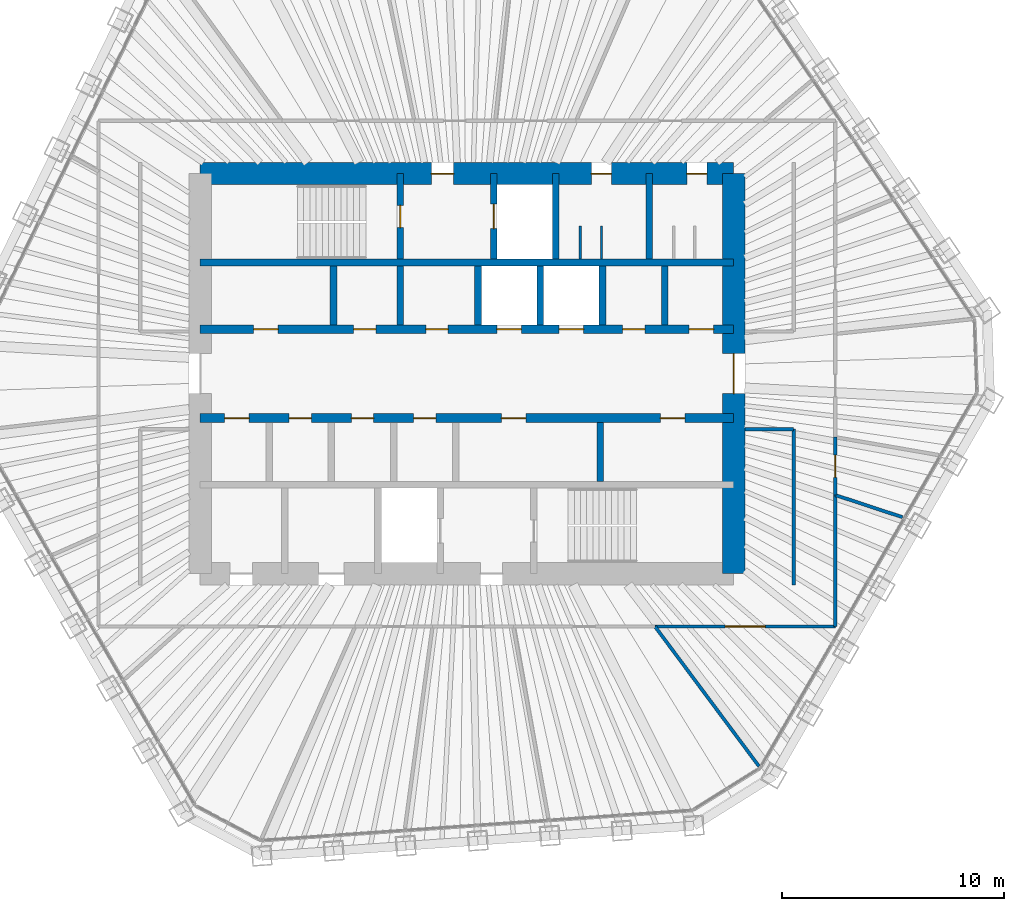
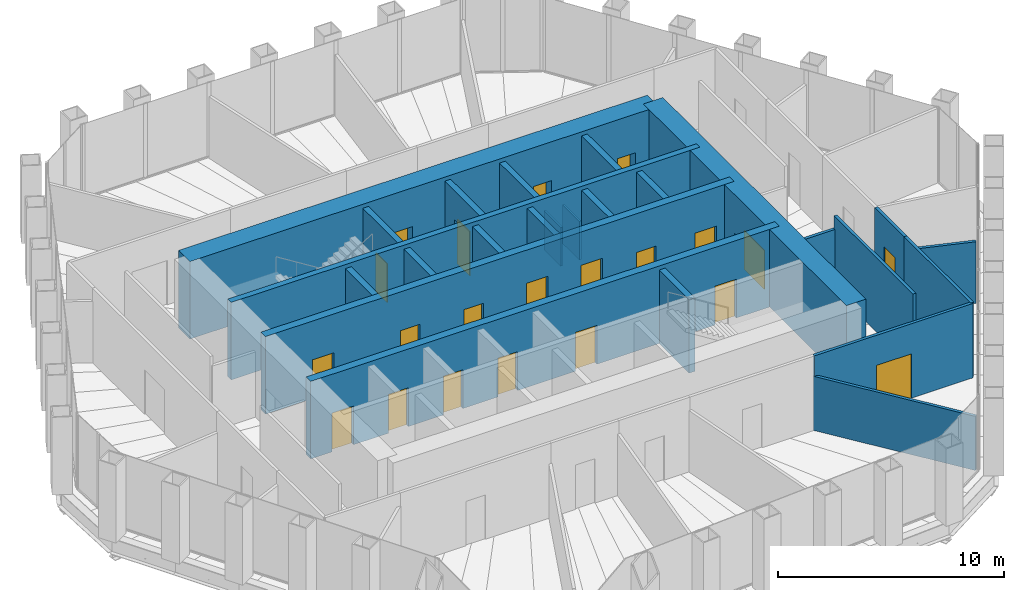
# One storey, part 12 of 14: 25 walls, 21 doors, 21 openings.
"""IFC4 building model written with IfcOpenShell, lengths in metres."""

from ifc_helpers import new_model, si_unit, direction, frame, frame_2d, origin, place, context, subcontext, project, spatial, rectangle, extrude, material, layer, layer_set, type_object, element, fill, save


model = new_model("IFC4")

# Units and contexts
model_context = context("Model", 3, precision=1e-05, world=origin(), true_north=direction((0.0, 1.0)))
body_context = subcontext(model_context, "Body", "Model", "MODEL_VIEW")
ifc_project = project(units=[si_unit("LENGTHUNIT", "METRE"), si_unit("AREAUNIT", "SQUARE_METRE"), si_unit("VOLUMEUNIT", "CUBIC_METRE"), si_unit("PLANEANGLEUNIT", "RADIAN"), si_unit("MASSUNIT", "GRAM", prefix="KILO")], contexts=[model_context])

# Site, building, storey
site_placement = place(None, origin())
site = spatial("IfcSite", under=ifc_project, at=site_placement, CompositionType="ELEMENT")
building_placement = place(site_placement, origin())
building = spatial("IfcBuilding", under=site, at=building_placement, Name="Qingtian Harvest Tower", CompositionType="ELEMENT")
storey_placement = place(building_placement, frame((0.0, 0.0, 283.0)))
storey = spatial("IfcBuildingStorey", under=building, at=storey_placement, Name="L62", CompositionType="ELEMENT", Elevation=283.0)

# Wall
ifc_material_1 = material(Name="Concrete fc' 70 MPa", Category="concrete")
ifc_layer_1 = layer(ifc_material_1, 0.300048828125)
ifc_layer_set_1 = layer_set([ifc_layer_1], Name="Core inner wall RC5 300")
wall_type_1 = type_object("IfcWallType", Name="Core inner wall RC5 300", PredefinedType="SHEAR", material=ifc_layer_set_1)
wall_1_placement = place(storey_placement, frame((-12.0, 5.0, 0.0), z_axis=(0.0, 0.0, 1.0), x_axis=(1.0, 0.0, 0.0)))
element("IfcWall", 1, at=wall_1_placement, inside=storey, type_object=wall_type_1, Name="Core wall IN5 L62", PredefinedType="SHEAR", context=body_context, shape_type="SweptSolid", body=[
    extrude(rectangle(XDim=24.0, YDim=0.300048828125, at=frame_2d((12.0, 0.0))), origin(), (0.0, 0.0, 1.0), 4.199951171875),
])

# Wall, openings, doors
ifc_material_2 = material(Name="Concrete fc' 70 MPa", Category="concrete")
ifc_layer_2 = layer(ifc_material_2, 0.39990234375)
ifc_layer_set_2 = layer_set([ifc_layer_2], Name="Core inner web RC6 400")
wall_type_2 = type_object("IfcWallType", Name="Core inner web RC6 400", PredefinedType="SHEAR", material=ifc_layer_set_2)
wall_2_placement = place(storey_placement, frame((-12.0, 2.0, 0.0), z_axis=(0.0, 0.0, 1.0), x_axis=(1.0, 0.0, 0.0)))
wall_2 = element("IfcWall", 2, at=wall_2_placement, inside=storey, type_object=wall_type_2, Name="Core wall IN2 L62", PredefinedType="SHEAR", context=body_context, shape_type="SweptSolid", body=[
    extrude(rectangle(XDim=24.0, YDim=0.39990234375, at=frame_2d((12.0, 0.0))), origin(), (0.0, 0.0, 1.0), 4.199951171875),
])
opening_1_placement = place(wall_2_placement, frame((2.39990234375, 0.0, 0.0)))
opening_1 = element("IfcOpeningElement", 3, at=opening_1_placement, cuts=wall_2, Name="Opening FD4", PredefinedType="OPENING", context=body_context, shape_type="SweptSolid", body=[
    extrude(rectangle(XDim=1.10009765625, YDim=2.10009765625, at=frame_2d((0.550048828125, 1.050048828125))), frame((0.0, 0.2099609375, 0.0), z_axis=(0.0, -1.0, 0.0), x_axis=(1.0, 0.0, 0.0)), (0.0, 0.0, 1.0), 0.419921875),
])
opening_2_placement = place(wall_2_placement, frame((22.0, 0.0, 0.0)))
opening_2 = element("IfcOpeningElement", 4, at=opening_2_placement, cuts=wall_2, Name="Opening FD4", PredefinedType="OPENING", context=body_context, shape_type="SweptSolid", body=[
    extrude(rectangle(XDim=1.10009765625, YDim=2.10009765625, at=frame_2d((0.550048828125, 1.050048828125))), frame((0.0, 0.2099609375, 0.0), z_axis=(0.0, -1.0, 0.0), x_axis=(1.0, 0.0, 0.0)), (0.0, 0.0, 1.0), 0.419921875),
])
opening_3_placement = place(wall_2_placement, frame((10.14990234375, 0.0, 0.0)))
opening_3 = element("IfcOpeningElement", 5, at=opening_3_placement, cuts=wall_2, Name="Opening FD1", PredefinedType="OPENING", context=body_context, shape_type="SweptSolid", body=[
    extrude(rectangle(XDim=1.0, YDim=2.10009765625, at=frame_2d((0.5, 1.050048828125))), frame((0.0, 0.2099609375, 0.0), z_axis=(0.0, -1.0, 0.0), x_axis=(1.0, 0.0, 0.0)), (0.0, 0.0, 1.0), 0.419921875),
])
opening_4_placement = place(wall_2_placement, frame((6.89990234375, 0.0, 0.0)))
opening_4 = element("IfcOpeningElement", 6, at=opening_4_placement, cuts=wall_2, Name="Opening FD1", PredefinedType="OPENING", context=body_context, shape_type="SweptSolid", body=[
    extrude(rectangle(XDim=1.0, YDim=2.10009765625, at=frame_2d((0.5, 1.050048828125))), frame((0.0, 0.2099609375, 0.0), z_axis=(0.0, -1.0, 0.0), x_axis=(1.0, 0.0, 0.0)), (0.0, 0.0, 1.0), 0.419921875),
])
opening_5_placement = place(wall_2_placement, frame((13.35009765625, 0.0, 0.0)))
opening_5 = element("IfcOpeningElement", 7, at=opening_5_placement, cuts=wall_2, Name="Opening LD1", PredefinedType="OPENING", context=body_context, shape_type="SweptSolid", body=[
    extrude(rectangle(XDim=1.10009765625, YDim=2.39990234375, at=frame_2d((0.550048828125, 1.199951171875))), frame((0.0, 0.2099609375, 0.0), z_axis=(0.0, -1.0, 0.0), x_axis=(1.0, 0.0, 0.0)), (0.0, 0.0, 1.0), 0.419921875),
])
opening_6_placement = place(wall_2_placement, frame((16.14990234375, 0.0, 0.0)))
opening_6 = element("IfcOpeningElement", 8, at=opening_6_placement, cuts=wall_2, Name="Opening LD1", PredefinedType="OPENING", context=body_context, shape_type="SweptSolid", body=[
    extrude(rectangle(XDim=1.10009765625, YDim=2.39990234375, at=frame_2d((0.550048828125, 1.199951171875))), frame((0.0, 0.2099609375, 0.0), z_axis=(0.0, -1.0, 0.0), x_axis=(1.0, 0.0, 0.0)), (0.0, 0.0, 1.0), 0.419921875),
])
opening_7_placement = place(wall_2_placement, frame((19.0, 0.0, 0.0)))
opening_7 = element("IfcOpeningElement", 9, at=opening_7_placement, cuts=wall_2, Name="Opening FD1", PredefinedType="OPENING", context=body_context, shape_type="SweptSolid", body=[
    extrude(rectangle(XDim=1.0, YDim=2.10009765625, at=frame_2d((0.5, 1.050048828125))), frame((0.0, 0.2099609375, 0.0), z_axis=(0.0, -1.0, 0.0), x_axis=(1.0, 0.0, 0.0)), (0.0, 0.0, 1.0), 0.419921875),
])
ifc_material_3 = material(Name="Steel-faced door leaf", Category="steel")
door_type_1 = type_object("IfcDoorType", Name="Fire door FD1 single 1 HR", OperationType="SINGLE_SWING_LEFT", PredefinedType="DOOR", material=ifc_material_3)
door_1_placement = place(opening_3_placement, origin())
door_1 = element("IfcDoor", 10, at=door_1_placement, inside=storey, type_object=door_type_1, Name="STA door L62", OperationType="SINGLE_SWING_LEFT", OverallHeight=2.10009765625, OverallWidth=1.0, PredefinedType="DOOR", context=body_context, shape_type="SweptSolid", body=[
    extrude(rectangle(XDim=1.0, YDim=2.10009765625, at=frame_2d((0.5, 1.050048828125))), frame((0.0, 0.02490234375, 0.0), z_axis=(0.0, -1.0, 0.0), x_axis=(1.0, 0.0, 0.0)), (0.0, 0.0, 1.0), 0.050048828125),
])
fill(opening_3, door_1)
door_2_placement = place(opening_4_placement, origin())
door_2 = element("IfcDoor", 11, at=door_2_placement, inside=storey, type_object=door_type_1, Name="Store door L62", OperationType="SINGLE_SWING_LEFT", OverallHeight=2.10009765625, OverallWidth=1.0, PredefinedType="DOOR", context=body_context, shape_type="SweptSolid", body=[
    extrude(rectangle(XDim=1.0, YDim=2.10009765625, at=frame_2d((0.5, 1.050048828125))), frame((0.0, 0.02490234375, 0.0), z_axis=(0.0, -1.0, 0.0), x_axis=(1.0, 0.0, 0.0)), (0.0, 0.0, 1.0), 0.050048828125),
])
fill(opening_4, door_2)
door_3_placement = place(opening_7_placement, origin())
door_3 = element("IfcDoor", 12, at=door_3_placement, inside=storey, type_object=door_type_1, Name="Tool store door L62", OperationType="SINGLE_SWING_LEFT", OverallHeight=2.10009765625, OverallWidth=1.0, PredefinedType="DOOR", context=body_context, shape_type="SweptSolid", body=[
    extrude(rectangle(XDim=1.0, YDim=2.10009765625, at=frame_2d((0.5, 1.050048828125))), frame((0.0, 0.02490234375, 0.0), z_axis=(0.0, -1.0, 0.0), x_axis=(1.0, 0.0, 0.0)), (0.0, 0.0, 1.0), 0.050048828125),
])
fill(opening_7, door_3)
ifc_material_4 = material(Name="Steel-faced door leaf", Category="steel")
door_type_2 = type_object("IfcDoorType", Name="Fire door FD4 single 2 HR", OperationType="SINGLE_SWING_LEFT", PredefinedType="DOOR", material=ifc_material_4)
door_4_placement = place(opening_1_placement, origin())
door_4 = element("IfcDoor", 13, at=door_4_placement, inside=storey, type_object=door_type_2, Name="RA door L62", OperationType="SINGLE_SWING_RIGHT", OverallHeight=2.10009765625, OverallWidth=1.10009765625, PredefinedType="DOOR", context=body_context, shape_type="SweptSolid", body=[
    extrude(rectangle(XDim=1.10009765625, YDim=2.10009765625, at=frame_2d((0.550048828125, 1.050048828125))), frame((0.0, 0.02490234375, 0.0), z_axis=(0.0, -1.0, 0.0), x_axis=(1.0, 0.0, 0.0)), (0.0, 0.0, 1.0), 0.050048828125),
])
fill(opening_1, door_4)
door_5_placement = place(opening_2_placement, origin())
door_5 = element("IfcDoor", 14, at=door_5_placement, inside=storey, type_object=door_type_2, Name="AHU door L62", OperationType="SINGLE_SWING_RIGHT", OverallHeight=2.10009765625, OverallWidth=1.10009765625, PredefinedType="DOOR", context=body_context, shape_type="SweptSolid", body=[
    extrude(rectangle(XDim=1.10009765625, YDim=2.10009765625, at=frame_2d((0.550048828125, 1.050048828125))), frame((0.0, 0.02490234375, 0.0), z_axis=(0.0, -1.0, 0.0), x_axis=(1.0, 0.0, 0.0)), (0.0, 0.0, 1.0), 0.050048828125),
])
fill(opening_2, door_5)
ifc_material_5 = material(Name="Stainless steel lift landing door", Category="steel")
door_type_3 = type_object("IfcDoorType", Name="Lift landing door LD1 1 HR", OperationType="DOUBLE_DOOR_SLIDING", PredefinedType="DOOR", material=ifc_material_5)
door_6_placement = place(opening_5_placement, origin())
door_6 = element("IfcDoor", 15, at=door_6_placement, inside=storey, type_object=door_type_3, Name="PLD1 landing door L62", OperationType="DOUBLE_DOOR_SLIDING", OverallHeight=2.39990234375, OverallWidth=1.10009765625, PredefinedType="DOOR", context=body_context, shape_type="SweptSolid", body=[
    extrude(rectangle(XDim=1.10009765625, YDim=2.39990234375, at=frame_2d((0.550048828125, 1.199951171875))), frame((0.0, 0.02490234375, 0.0), z_axis=(0.0, -1.0, 0.0), x_axis=(1.0, 0.0, 0.0)), (0.0, 0.0, 1.0), 0.050048828125),
])
fill(opening_5, door_6)
door_7_placement = place(opening_6_placement, origin())
door_7 = element("IfcDoor", 16, at=door_7_placement, inside=storey, type_object=door_type_3, Name="PLD2 landing door L62", OperationType="DOUBLE_DOOR_SLIDING", OverallHeight=2.39990234375, OverallWidth=1.10009765625, PredefinedType="DOOR", context=body_context, shape_type="SweptSolid", body=[
    extrude(rectangle(XDim=1.10009765625, YDim=2.39990234375, at=frame_2d((0.550048828125, 1.199951171875))), frame((0.0, 0.02490234375, 0.0), z_axis=(0.0, -1.0, 0.0), x_axis=(1.0, 0.0, 0.0)), (0.0, 0.0, 1.0), 0.050048828125),
])
fill(opening_6, door_7)

wall_3_placement = place(storey_placement, frame((-12.0, -2.0, 0.0), z_axis=(0.0, 0.0, 1.0), x_axis=(1.0, 0.0, 0.0)))
wall_3 = element("IfcWall", 17, at=wall_3_placement, inside=storey, type_object=wall_type_2, Name="Core wall IS2 L62", PredefinedType="SHEAR", context=body_context, shape_type="SweptSolid", body=[
    extrude(rectangle(XDim=24.0, YDim=0.39990234375, at=frame_2d((12.0, 0.0))), origin(), (0.0, 0.0, 1.0), 4.199951171875),
])
opening_8_placement = place(wall_3_placement, frame((1.10009765625, 0.0, 0.0)))
opening_8 = element("IfcOpeningElement", 18, at=opening_8_placement, cuts=wall_3, Name="Opening FD4", PredefinedType="OPENING", context=body_context, shape_type="SweptSolid", body=[
    extrude(rectangle(XDim=1.10009765625, YDim=2.10009765625, at=frame_2d((0.550048828125, 1.050048828125))), frame((0.0, 0.2099609375, 0.0), z_axis=(0.0, -1.0, 0.0), x_axis=(1.0, 0.0, 0.0)), (0.0, 0.0, 1.0), 0.419921875),
])
opening_9_placement = place(wall_3_placement, frame((13.550048828125, 0.0, 0.0)))
opening_9 = element("IfcOpeningElement", 19, at=opening_9_placement, cuts=wall_3, Name="Opening FD4", PredefinedType="OPENING", context=body_context, shape_type="SweptSolid", body=[
    extrude(rectangle(XDim=1.10009765625, YDim=2.10009765625, at=frame_2d((0.550048828125, 1.050048828125))), frame((0.0, 0.2099609375, 0.0), z_axis=(0.0, -1.0, 0.0), x_axis=(1.0, 0.0, 0.0)), (0.0, 0.0, 1.0), 0.419921875),
])
opening_10_placement = place(wall_3_placement, frame((20.699951171875, 0.0, 0.0)))
opening_10 = element("IfcOpeningElement", 20, at=opening_10_placement, cuts=wall_3, Name="Opening FD4", PredefinedType="OPENING", context=body_context, shape_type="SweptSolid", body=[
    extrude(rectangle(XDim=1.10009765625, YDim=2.10009765625, at=frame_2d((0.550048828125, 1.050048828125))), frame((0.0, 0.2099609375, 0.0), z_axis=(0.0, -1.0, 0.0), x_axis=(1.0, 0.0, 0.0)), (0.0, 0.0, 1.0), 0.419921875),
])
opening_11_placement = place(wall_3_placement, frame((4.0, 0.0, 0.0)))
opening_11 = element("IfcOpeningElement", 21, at=opening_11_placement, cuts=wall_3, Name="Opening FD1", PredefinedType="OPENING", context=body_context, shape_type="SweptSolid", body=[
    extrude(rectangle(XDim=1.0, YDim=2.10009765625, at=frame_2d((0.5, 1.050048828125))), frame((0.0, 0.2099609375, 0.0), z_axis=(0.0, -1.0, 0.0), x_axis=(1.0, 0.0, 0.0)), (0.0, 0.0, 1.0), 0.419921875),
])
opening_12_placement = place(wall_3_placement, frame((6.800048828125, 0.0, 0.0)))
opening_12 = element("IfcOpeningElement", 22, at=opening_12_placement, cuts=wall_3, Name="Opening FD1", PredefinedType="OPENING", context=body_context, shape_type="SweptSolid", body=[
    extrude(rectangle(XDim=1.0, YDim=2.10009765625, at=frame_2d((0.5, 1.050048828125))), frame((0.0, 0.2099609375, 0.0), z_axis=(0.0, -1.0, 0.0), x_axis=(1.0, 0.0, 0.0)), (0.0, 0.0, 1.0), 0.419921875),
])
opening_13_placement = place(wall_3_placement, frame((9.60009765625, 0.0, 0.0)))
opening_13 = element("IfcOpeningElement", 23, at=opening_13_placement, cuts=wall_3, Name="Opening FD1", PredefinedType="OPENING", context=body_context, shape_type="SweptSolid", body=[
    extrude(rectangle(XDim=1.0, YDim=2.10009765625, at=frame_2d((0.5, 1.050048828125))), frame((0.0, 0.2099609375, 0.0), z_axis=(0.0, -1.0, 0.0), x_axis=(1.0, 0.0, 0.0)), (0.0, 0.0, 1.0), 0.419921875),
])
door_8_placement = place(opening_11_placement, origin())
door_8 = element("IfcDoor", 24, at=door_8_placement, inside=storey, type_object=door_type_1, Name="Archive store door L62", OperationType="SINGLE_SWING_LEFT", OverallHeight=2.10009765625, OverallWidth=1.0, PredefinedType="DOOR", context=body_context, shape_type="SweptSolid", body=[
    extrude(rectangle(XDim=1.0, YDim=2.10009765625, at=frame_2d((0.5, 1.050048828125))), frame((0.0, 0.02490234375, 0.0), z_axis=(0.0, -1.0, 0.0), x_axis=(1.0, 0.0, 0.0)), (0.0, 0.0, 1.0), 0.050048828125),
])
fill(opening_11, door_8)
door_9_placement = place(opening_12_placement, origin())
door_9 = element("IfcDoor", 25, at=door_9_placement, inside=storey, type_object=door_type_1, Name="Staff WC door L62", OperationType="SINGLE_SWING_LEFT", OverallHeight=2.10009765625, OverallWidth=1.0, PredefinedType="DOOR", context=body_context, shape_type="SweptSolid", body=[
    extrude(rectangle(XDim=1.0, YDim=2.10009765625, at=frame_2d((0.5, 1.050048828125))), frame((0.0, 0.02490234375, 0.0), z_axis=(0.0, -1.0, 0.0), x_axis=(1.0, 0.0, 0.0)), (0.0, 0.0, 1.0), 0.050048828125),
])
fill(opening_12, door_9)
door_10_placement = place(opening_13_placement, origin())
door_10 = element("IfcDoor", 26, at=door_10_placement, inside=storey, type_object=door_type_1, Name="Housekeeping store door L62", OperationType="SINGLE_SWING_LEFT", OverallHeight=2.10009765625, OverallWidth=1.0, PredefinedType="DOOR", context=body_context, shape_type="SweptSolid", body=[
    extrude(rectangle(XDim=1.0, YDim=2.10009765625, at=frame_2d((0.5, 1.050048828125))), frame((0.0, 0.02490234375, 0.0), z_axis=(0.0, -1.0, 0.0), x_axis=(1.0, 0.0, 0.0)), (0.0, 0.0, 1.0), 0.050048828125),
])
fill(opening_13, door_10)
door_11_placement = place(opening_8_placement, origin())
door_11 = element("IfcDoor", 27, at=door_11_placement, inside=storey, type_object=door_type_2, Name="RB door L62", OperationType="SINGLE_SWING_RIGHT", OverallHeight=2.10009765625, OverallWidth=1.10009765625, PredefinedType="DOOR", context=body_context, shape_type="SweptSolid", body=[
    extrude(rectangle(XDim=1.10009765625, YDim=2.10009765625, at=frame_2d((0.550048828125, 1.050048828125))), frame((0.0, 0.02490234375, 0.0), z_axis=(0.0, -1.0, 0.0), x_axis=(1.0, 0.0, 0.0)), (0.0, 0.0, 1.0), 0.050048828125),
])
fill(opening_8, door_11)
door_12_placement = place(opening_9_placement, origin())
door_12 = element("IfcDoor", 28, at=door_12_placement, inside=storey, type_object=door_type_2, Name="ELEC door L62", OperationType="SINGLE_SWING_RIGHT", OverallHeight=2.10009765625, OverallWidth=1.10009765625, PredefinedType="DOOR", context=body_context, shape_type="SweptSolid", body=[
    extrude(rectangle(XDim=1.10009765625, YDim=2.10009765625, at=frame_2d((0.550048828125, 1.050048828125))), frame((0.0, 0.02490234375, 0.0), z_axis=(0.0, -1.0, 0.0), x_axis=(1.0, 0.0, 0.0)), (0.0, 0.0, 1.0), 0.050048828125),
])
fill(opening_9, door_12)
door_13_placement = place(opening_10_placement, origin())
door_13 = element("IfcDoor", 29, at=door_13_placement, inside=storey, type_object=door_type_2, Name="DUCT door L62", OperationType="SINGLE_SWING_LEFT", OverallHeight=2.10009765625, OverallWidth=1.10009765625, PredefinedType="DOOR", context=body_context, shape_type="SweptSolid", body=[
    extrude(rectangle(XDim=1.10009765625, YDim=2.10009765625, at=frame_2d((0.550048828125, 1.050048828125))), frame((0.0, 0.02490234375, 0.0), z_axis=(0.0, -1.0, 0.0), x_axis=(1.0, 0.0, 0.0)), (0.0, 0.0, 1.0), 0.050048828125),
])
fill(opening_10, door_13)

# Wall, opening, door
ifc_material_6 = material(Name="Precast concrete shaft panel", Category="concrete")
ifc_layer_3 = layer(ifc_material_6, 0.300048828125)
ifc_layer_set_3 = layer_set([ifc_layer_3], Name="Core shaft partition SW1 300")
wall_type_3 = type_object("IfcWallType", Name="Core shaft partition SW1 300", PredefinedType="PARTITIONING", material=ifc_layer_set_3)
wall_4_placement = place(storey_placement, frame((-3.0, 5.14990234375, 0.0), z_axis=(0.0, 0.0, 1.0), x_axis=(0.0, 1.0, 0.0)))
wall_4 = element("IfcWall", 30, at=wall_4_placement, inside=storey, type_object=wall_type_3, Name="Core shaft partition XN1 L62", PredefinedType="PARTITIONING", context=body_context, shape_type="SweptSolid", body=[
    extrude(rectangle(XDim=3.85009765625, YDim=0.300048828125, at=frame_2d((1.925048828125, 0.0))), origin(), (0.0, 0.0, 1.0), 3.97998046875),
])
opening_14_placement = place(wall_4_placement, frame((1.425048828125, 0.0, 0.0)))
opening_14 = element("IfcOpeningElement", 31, at=opening_14_placement, cuts=wall_4, Name="Opening FD1", PredefinedType="OPENING", context=body_context, shape_type="SweptSolid", body=[
    extrude(rectangle(XDim=1.0, YDim=2.10009765625, at=frame_2d((0.5, 1.050048828125))), frame((0.0, 0.159912109375, 0.0), z_axis=(0.0, -1.0, 0.0), x_axis=(1.0, 0.0, 0.0)), (0.0, 0.0, 1.0), 0.320068359375),
])
door_14_placement = place(opening_14_placement, origin())
door_14 = element("IfcDoor", 32, at=door_14_placement, inside=storey, type_object=door_type_1, Name="S1 door L62", OperationType="SINGLE_SWING_RIGHT", OverallHeight=2.10009765625, OverallWidth=1.0, PredefinedType="DOOR", context=body_context, shape_type="SweptSolid", body=[
    extrude(rectangle(XDim=1.0, YDim=2.10009765625, at=frame_2d((0.5, 1.050048828125))), frame((0.0, 0.02490234375, 0.0), z_axis=(0.0, -1.0, 0.0), x_axis=(1.0, 0.0, 0.0)), (0.0, 0.0, 1.0), 0.050048828125),
])
fill(opening_14, door_14)

wall_5_placement = place(storey_placement, frame((1.199951171875, 5.14990234375, 0.0), z_axis=(0.0, 0.0, 1.0), x_axis=(0.0, 1.0, 0.0)))
wall_5 = element("IfcWall", 33, at=wall_5_placement, inside=storey, type_object=wall_type_3, Name="Core shaft partition XN2 L62", PredefinedType="PARTITIONING", context=body_context, shape_type="SweptSolid", body=[
    extrude(rectangle(XDim=3.85009765625, YDim=0.300048828125, at=frame_2d((1.925048828125, 0.0))), origin(), (0.0, 0.0, 1.0), 3.97998046875),
])
opening_15_placement = place(wall_5_placement, frame((1.375, 0.0, 0.0)))
opening_15 = element("IfcOpeningElement", 34, at=opening_15_placement, cuts=wall_5, Name="Opening LD1", PredefinedType="OPENING", context=body_context, shape_type="SweptSolid", body=[
    extrude(rectangle(XDim=1.10009765625, YDim=2.39990234375, at=frame_2d((0.550048828125, 1.199951171875))), frame((0.0, 0.159912109375, 0.0), z_axis=(0.0, -1.0, 0.0), x_axis=(1.0, 0.0, 0.0)), (0.0, 0.0, 1.0), 0.320068359375),
])
door_15_placement = place(opening_15_placement, origin())
door_15 = element("IfcDoor", 35, at=door_15_placement, inside=storey, type_object=door_type_3, Name="FL1 landing door L62", OperationType="DOUBLE_DOOR_SLIDING", OverallHeight=2.39990234375, OverallWidth=1.10009765625, PredefinedType="DOOR", context=body_context, shape_type="SweptSolid", body=[
    extrude(rectangle(XDim=1.10009765625, YDim=2.39990234375, at=frame_2d((0.550048828125, 1.199951171875))), frame((0.0, 0.02490234375, 0.0), z_axis=(0.0, -1.0, 0.0), x_axis=(1.0, 0.0, 0.0)), (0.0, 0.0, 1.0), 0.050048828125),
])
fill(opening_15, door_15)

# Walls
for number, where, z_axis, x_axis, name in (
    (36, (4.0, 5.14990234375, 0.0), (0.0, 0.0, 1.0), (0.0, 1.0, 0.0), "Core shaft partition XN3 L62"),
    (37, (8.199951171875, 5.14990234375, 0.0), (0.0, 0.0, 1.0), (0.0, 1.0, 0.0), "Core shaft partition XN4 L62"),
):
    element("IfcWall", number, at=place(storey_placement, frame(where, z_axis=z_axis, x_axis=x_axis)), inside=storey, type_object=wall_type_3, Name=name, PredefinedType="PARTITIONING", context=body_context, shape_type="SweptSolid", body=[
        extrude(rectangle(XDim=3.85009765625, YDim=0.300048828125, at=frame_2d((1.925048828125, 0.0))), origin(), (0.0, 0.0, 1.0), 3.97998046875),
    ])
for number, where, z_axis, x_axis, name in (
    (38, (-6.0, 2.199951171875, 0.0), (0.0, 0.0, 1.0), (0.0, 1.0, 0.0), "Core shaft partition XA1 L62"),
    (39, (-3.0, 2.199951171875, 0.0), (0.0, 0.0, 1.0), (0.0, 1.0, 0.0), "Core shaft partition XA2 L62"),
    (40, (0.5, 2.199951171875, 0.0), (0.0, 0.0, 1.0), (0.0, 1.0, 0.0), "Core shaft partition XA3 L62"),
    (41, (3.300048828125, 2.199951171875, 0.0), (0.0, 0.0, 1.0), (0.0, 1.0, 0.0), "Core shaft partition XA4 L62"),
    (42, (6.10009765625, 2.199951171875, 0.0), (0.0, 0.0, 1.0), (0.0, 1.0, 0.0), "Core shaft partition XA5 L62"),
    (43, (8.89990234375, 2.199951171875, 0.0), (0.0, 0.0, 1.0), (0.0, 1.0, 0.0), "Core shaft partition XA6 L62"),
    (44, (6.0, -4.85009765625, 0.0), (0.0, 0.0, 1.0), (0.0, 1.0, 0.0), "Core shaft partition XB5 L62"),
):
    element("IfcWall", number, at=place(storey_placement, frame(where, z_axis=z_axis, x_axis=x_axis)), inside=storey, type_object=wall_type_3, Name=name, PredefinedType="PARTITIONING", context=body_context, shape_type="SweptSolid", body=[
        extrude(rectangle(XDim=2.650146484375, YDim=0.300048828125, at=frame_2d((1.3251953125, 0.0))), origin(), (0.0, 0.0, 1.0), 3.97998046875),
    ])

# Wall, openings, doors
ifc_material_7 = material(Name="Concrete fc' 70 MPa", Category="concrete")
ifc_layer_4 = layer(ifc_material_7, 1.0)
ifc_layer_set_4 = layer_set([ifc_layer_4], Name="Core wall RC3 1000")
wall_type_4 = type_object("IfcWallType", Name="Core wall RC3 1000", PredefinedType="SHEAR", material=ifc_layer_set_4)
wall_6_placement = place(storey_placement, frame((-12.0, 9.0, 0.0), z_axis=(0.0, 0.0, 1.0), x_axis=(1.0, 0.0, 0.0)))
wall_6 = element("IfcWall", 45, at=wall_6_placement, inside=storey, type_object=wall_type_4, Name="Core wall CN L62", PredefinedType="SHEAR", context=body_context, shape_type="SweptSolid", body=[
    extrude(rectangle(XDim=24.0, YDim=1.0, at=frame_2d((12.0, 0.0))), origin(), (0.0, 0.0, 1.0), 4.199951171875),
])
opening_16_placement = place(wall_6_placement, frame((10.39990234375, 0.0, 0.0)))
opening_16 = element("IfcOpeningElement", 46, at=opening_16_placement, cuts=wall_6, Name="Opening FD1", PredefinedType="OPENING", context=body_context, shape_type="SweptSolid", body=[
    extrude(rectangle(XDim=1.0, YDim=2.10009765625, at=frame_2d((0.5, 1.050048828125))), frame((0.0, 0.510009765625, 0.0), z_axis=(0.0, -1.0, 0.0), x_axis=(1.0, 0.0, 0.0)), (0.0, 0.0, 1.0), 1.02001953125),
])
opening_17_placement = place(wall_6_placement, frame((17.60009765625, 0.0, 0.0)))
opening_17 = element("IfcOpeningElement", 47, at=opening_17_placement, cuts=wall_6, Name="Opening D1", PredefinedType="OPENING", context=body_context, shape_type="SweptSolid", body=[
    extrude(rectangle(XDim=0.89990234375, YDim=2.10009765625, at=frame_2d((0.449951171875, 1.050048828125))), frame((0.0, 0.510009765625, 0.0), z_axis=(0.0, -1.0, 0.0), x_axis=(1.0, 0.0, 0.0)), (0.0, 0.0, 1.0), 1.02001953125),
])
opening_18_placement = place(wall_6_placement, frame((21.89990234375, 0.0, 0.0)))
opening_18 = element("IfcOpeningElement", 48, at=opening_18_placement, cuts=wall_6, Name="Opening D1", PredefinedType="OPENING", context=body_context, shape_type="SweptSolid", body=[
    extrude(rectangle(XDim=0.89990234375, YDim=2.10009765625, at=frame_2d((0.449951171875, 1.050048828125))), frame((0.0, 0.510009765625, 0.0), z_axis=(0.0, -1.0, 0.0), x_axis=(1.0, 0.0, 0.0)), (0.0, 0.0, 1.0), 1.02001953125),
])
door_16_placement = place(opening_16_placement, origin())
door_16 = element("IfcDoor", 49, at=door_16_placement, inside=storey, type_object=door_type_1, Name="V1 door L62", OperationType="SINGLE_SWING_RIGHT", OverallHeight=2.10009765625, OverallWidth=1.0, PredefinedType="DOOR", context=body_context, shape_type="SweptSolid", body=[
    extrude(rectangle(XDim=1.0, YDim=2.10009765625, at=frame_2d((0.5, 1.050048828125))), frame((0.0, 0.02490234375, 0.0), z_axis=(0.0, -1.0, 0.0), x_axis=(1.0, 0.0, 0.0)), (0.0, 0.0, 1.0), 0.050048828125),
])
fill(opening_16, door_16)
ifc_material_8 = material(Name="Laminated timber door leaf", Category="wood")
door_type_4 = type_object("IfcDoorType", Name="Toilet door D1 single", OperationType="SINGLE_SWING_LEFT", PredefinedType="DOOR", material=ifc_material_8)
door_17_placement = place(opening_17_placement, origin())
door_17 = element("IfcDoor", 50, at=door_17_placement, inside=storey, type_object=door_type_4, Name="WCM door L62", OperationType="SINGLE_SWING_LEFT", OverallHeight=2.10009765625, OverallWidth=0.89990234375, PredefinedType="DOOR", context=body_context, shape_type="SweptSolid", body=[
    extrude(rectangle(XDim=0.89990234375, YDim=2.10009765625, at=frame_2d((0.449951171875, 1.050048828125))), frame((0.0, 0.02490234375, 0.0), z_axis=(0.0, -1.0, 0.0), x_axis=(1.0, 0.0, 0.0)), (0.0, 0.0, 1.0), 0.050048828125),
])
fill(opening_17, door_17)
door_18_placement = place(opening_18_placement, origin())
door_18 = element("IfcDoor", 51, at=door_18_placement, inside=storey, type_object=door_type_4, Name="WCF door L62", OperationType="SINGLE_SWING_LEFT", OverallHeight=2.10009765625, OverallWidth=0.89990234375, PredefinedType="DOOR", context=body_context, shape_type="SweptSolid", body=[
    extrude(rectangle(XDim=0.89990234375, YDim=2.10009765625, at=frame_2d((0.449951171875, 1.050048828125))), frame((0.0, 0.02490234375, 0.0), z_axis=(0.0, -1.0, 0.0), x_axis=(1.0, 0.0, 0.0)), (0.0, 0.0, 1.0), 0.050048828125),
])
fill(opening_18, door_18)

# Wall, opening, door
wall_7_placement = place(storey_placement, frame((12.0, -9.0, 0.0), z_axis=(0.0, 0.0, 1.0), x_axis=(0.0, 1.0, 0.0)))
wall_7 = element("IfcWall", 52, at=wall_7_placement, inside=storey, type_object=wall_type_4, Name="Core wall CE L62", PredefinedType="SHEAR", context=body_context, shape_type="SweptSolid", body=[
    extrude(rectangle(XDim=18.0, YDim=1.0, at=frame_2d((9.0, 0.0))), origin(), (0.0, 0.0, 1.0), 4.199951171875),
])
opening_19_placement = place(wall_7_placement, frame((8.10009765625, 0.0, 0.0)))
opening_19 = element("IfcOpeningElement", 53, at=opening_19_placement, cuts=wall_7, Name="Opening FD2", PredefinedType="OPENING", context=body_context, shape_type="SweptSolid", body=[
    extrude(rectangle(XDim=1.800048828125, YDim=2.10009765625, at=frame_2d((0.89990234375, 1.050048828125))), frame((0.0, 0.510009765625, 0.0), z_axis=(0.0, -1.0, 0.0), x_axis=(1.0, 0.0, 0.0)), (0.0, 0.0, 1.0), 1.02001953125),
])
ifc_material_9 = material(Name="Steel-faced door leaf", Category="steel")
door_type_5 = type_object("IfcDoorType", Name="Fire door FD2 double 1 HR", OperationType="DOUBLE_DOOR_DOUBLE_SWING", PredefinedType="DOOR", material=ifc_material_9)
door_19_placement = place(opening_19_placement, origin())
door_19 = element("IfcDoor", 54, at=door_19_placement, inside=storey, type_object=door_type_5, Name="LOBBY-E door L62", OperationType="DOUBLE_DOOR_DOUBLE_SWING", OverallHeight=2.10009765625, OverallWidth=1.800048828125, PredefinedType="DOOR", context=body_context, shape_type="SweptSolid", body=[
    extrude(rectangle(XDim=1.800048828125, YDim=2.10009765625, at=frame_2d((0.89990234375, 1.050048828125))), frame((0.0, 0.02490234375, 0.0), z_axis=(0.0, -1.0, 0.0), x_axis=(1.0, 0.0, 0.0)), (0.0, 0.0, 1.0), 0.050048828125),
])
fill(opening_19, door_19)

ifc_material_10 = material(Name="Gypsum board on steel studs", Category="steel")
ifc_layer_5 = layer(ifc_material_10, 0.14990234375)
ifc_layer_set_5 = layer_set([ifc_layer_5], Name="Partition PT1 150")
wall_type_5 = type_object("IfcWallType", Name="Partition PT1 150", PredefinedType="PARTITIONING", material=ifc_layer_set_5)
wall_8_placement = place(storey_placement, frame((16.574951171875, -2.859130859375, 0.0), z_axis=(0.0, 0.0, 1.0), x_axis=(0.0, -1.0, 0.0)))
wall_8 = element("IfcWall", 55, at=wall_8_placement, inside=storey, type_object=wall_type_5, Name="Store room wall L62", PredefinedType="PARTITIONING", context=body_context, shape_type="SweptSolid", body=[
    extrude(rectangle(XDim=2.603271484375, YDim=0.14990234375, at=frame_2d((1.3017578125, 0.0))), origin(), (0.0, 0.0, 1.0), 4.030029296875),
])
opening_20_placement = place(wall_8_placement, frame((0.801513671875, 0.0, 0.0)))
opening_20 = element("IfcOpeningElement", 56, at=opening_20_placement, cuts=wall_8, Name="Opening D2", PredefinedType="OPENING", context=body_context, shape_type="SweptSolid", body=[
    extrude(rectangle(XDim=1.0, YDim=2.39990234375, at=frame_2d((0.5, 1.199951171875))), frame((0.0, 0.0849609375, 0.0), z_axis=(0.0, -1.0, 0.0), x_axis=(1.0, 0.0, 0.0)), (0.0, 0.0, 1.0), 0.169921875),
])
ifc_material_11 = material(Name="Laminated timber door leaf", Category="wood")
door_type_6 = type_object("IfcDoorType", Name="Room door D2 single", OperationType="SINGLE_SWING_LEFT", PredefinedType="DOOR", material=ifc_material_11)
door_20_placement = place(opening_20_placement, origin())
door_20 = element("IfcDoor", 57, at=door_20_placement, inside=storey, type_object=door_type_6, Name="Store room door L62", OperationType="SINGLE_SWING_RIGHT", OverallHeight=2.39990234375, OverallWidth=1.0, PredefinedType="DOOR", context=body_context, shape_type="SweptSolid", body=[
    extrude(rectangle(XDim=1.0, YDim=2.39990234375, at=frame_2d((0.5, 1.199951171875))), frame((0.0, 0.02490234375, 0.0), z_axis=(0.0, -1.0, 0.0), x_axis=(1.0, 0.0, 0.0)), (0.0, 0.0, 1.0), 0.050048828125),
])
fill(opening_20, door_20)

# Walls
wall_9_placement = place(storey_placement, frame((19.598388671875, -6.458740234375, 0.0), z_axis=(0.0, 0.0, 1.0), x_axis=(-0.949759114669, 0.312981827113, 0.0)))
element("IfcWall", 58, at=wall_9_placement, inside=storey, type_object=wall_type_5, Name="Workplace zone wall L62", PredefinedType="PARTITIONING", context=body_context, shape_type="SweptSolid", body=[
    extrude(rectangle(XDim=3.183349609375, YDim=0.14990234375, at=frame_2d((1.591796875, 0.0))), origin(), (0.0, 0.0, 1.0), 3.330078125),
])
wall_10_placement = place(storey_placement, frame((16.574951171875, -5.46240234375, 0.0), z_axis=(0.0, 0.0, 1.0), x_axis=(0.0, -1.0, 0.0)))
element("IfcWall", 59, at=wall_10_placement, inside=storey, type_object=wall_type_5, Name="Workplace zone wall L62", PredefinedType="PARTITIONING", context=body_context, shape_type="SweptSolid", body=[
    extrude(rectangle(XDim=5.91259765625, YDim=0.14990234375, at=frame_2d((2.956298828125, 0.0))), origin(), (0.0, 0.0, 1.0), 4.030029296875),
])

# Wall, opening, door
wall_11_placement = place(storey_placement, frame((16.574951171875, -11.375, 0.0), z_axis=(0.0, 0.0, 1.0), x_axis=(-1.0, 0.0, 0.0)))
wall_11 = element("IfcWall", 60, at=wall_11_placement, inside=storey, type_object=wall_type_5, Name="Workplace zone wall L62", PredefinedType="PARTITIONING", context=body_context, shape_type="SweptSolid", body=[
    extrude(rectangle(XDim=8.113525390625, YDim=0.14990234375, at=frame_2d((4.056640625, 0.0))), origin(), (0.0, 0.0, 1.0), 4.030029296875),
])
opening_21_placement = place(wall_11_placement, frame((3.15673828125, 0.0, 0.0)))
opening_21 = element("IfcOpeningElement", 61, at=opening_21_placement, cuts=wall_11, Name="Opening D3", PredefinedType="OPENING", context=body_context, shape_type="SweptSolid", body=[
    extrude(rectangle(XDim=1.800048828125, YDim=2.39990234375, at=frame_2d((0.89990234375, 1.199951171875))), frame((0.0, 0.0849609375, 0.0), z_axis=(0.0, -1.0, 0.0), x_axis=(1.0, 0.0, 0.0)), (0.0, 0.0, 1.0), 0.169921875),
])
ifc_material_12 = material(Name="Laminated timber door leaf", Category="wood")
door_type_7 = type_object("IfcDoorType", Name="Room door D3 double", OperationType="DOUBLE_DOOR_DOUBLE_SWING", PredefinedType="DOOR", material=ifc_material_12)
door_21_placement = place(opening_21_placement, origin())
door_21 = element("IfcDoor", 62, at=door_21_placement, inside=storey, type_object=door_type_7, Name="Workplace zone door L62", OperationType="DOUBLE_DOOR_DOUBLE_SWING", OverallHeight=2.39990234375, OverallWidth=1.800048828125, PredefinedType="DOOR", context=body_context, shape_type="SweptSolid", body=[
    extrude(rectangle(XDim=1.800048828125, YDim=2.39990234375, at=frame_2d((0.89990234375, 1.199951171875))), frame((0.0, 0.02490234375, 0.0), z_axis=(0.0, -1.0, 0.0), x_axis=(1.0, 0.0, 0.0)), (0.0, 0.0, 1.0), 0.050048828125),
])
fill(opening_21, door_21)

# Walls
wall_12_placement = place(storey_placement, frame((13.1376953125, -17.661376953125, 0.0), z_axis=(0.0, 0.0, 1.0), x_axis=(-0.596849390438, 0.802353291969, 0.0)))
element("IfcWall", 63, at=wall_12_placement, inside=storey, type_object=wall_type_5, Name="Pantry wall L62", PredefinedType="PARTITIONING", context=body_context, shape_type="SweptSolid", body=[
    extrude(rectangle(XDim=7.8349609375, YDim=0.14990234375, at=frame_2d((3.91748046875, 0.0))), origin(), (0.0, 0.0, 1.0), 2.929931640625),
])
wall_13_placement = place(storey_placement, frame((14.699951171875, -9.5, 0.0), z_axis=(0.0, 0.0, 1.0), x_axis=(0.0, 1.0, 0.0)))
element("IfcWall", 64, at=wall_13_placement, inside=storey, type_object=wall_type_5, Name="Print area wall L62", PredefinedType="PARTITIONING", context=body_context, shape_type="SweptSolid", body=[
    extrude(rectangle(XDim=7.0, YDim=0.14990234375, at=frame_2d((3.5, 0.0))), origin(), (0.0, 0.0, 1.0), 4.030029296875),
])
wall_14_placement = place(storey_placement, frame((12.5, -2.5, 0.0), z_axis=(0.0, 0.0, 1.0), x_axis=(1.0, 0.0, 0.0)))
element("IfcWall", 65, at=wall_14_placement, inside=storey, type_object=wall_type_5, Name="Print area wall L62", PredefinedType="PARTITIONING", context=body_context, shape_type="SweptSolid", body=[
    extrude(rectangle(XDim=2.199951171875, YDim=0.14990234375, at=frame_2d((1.10009765625, 0.0))), origin(), (0.0, 0.0, 1.0), 3.330078125),
])
ifc_material_13 = material(Name="Compact laminate cubicle partition", Category="plastic")
ifc_layer_6 = layer(ifc_material_13, 0.10009765625)
ifc_layer_set_6 = layer_set([ifc_layer_6], Name="WC cubicle partition WP1 100")
wall_type_6 = type_object("IfcWallType", Name="WC cubicle partition WP1 100", PredefinedType="PARTITIONING", material=ifc_layer_set_6)
for number, where, z_axis, x_axis, name in (
    (66, (5.10009765625, 5.14990234375, 0.0), (0.0, 0.0, 1.0), (0.0, 1.0, 0.0), "WC cubicle partition WCM L62"),
    (67, (6.050048828125, 5.14990234375, 0.0), (0.0, 0.0, 1.0), (0.0, 1.0, 0.0), "WC cubicle partition WCM L62"),
):
    element("IfcWall", number, at=place(storey_placement, frame(where, z_axis=z_axis, x_axis=x_axis)), inside=storey, type_object=wall_type_6, Name=name, PredefinedType="PARTITIONING", context=body_context, shape_type="SweptSolid", body=[
        extrude(rectangle(XDim=1.5, YDim=0.10009765625, at=frame_2d((0.75, 0.0))), origin(), (0.0, 0.0, 1.0), 2.10009765625),
    ])

save(model, "model.ifc")
